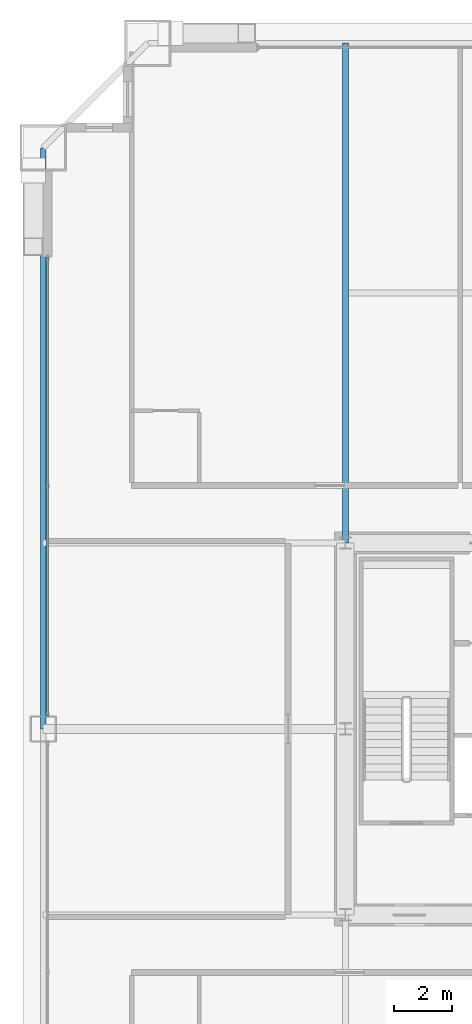
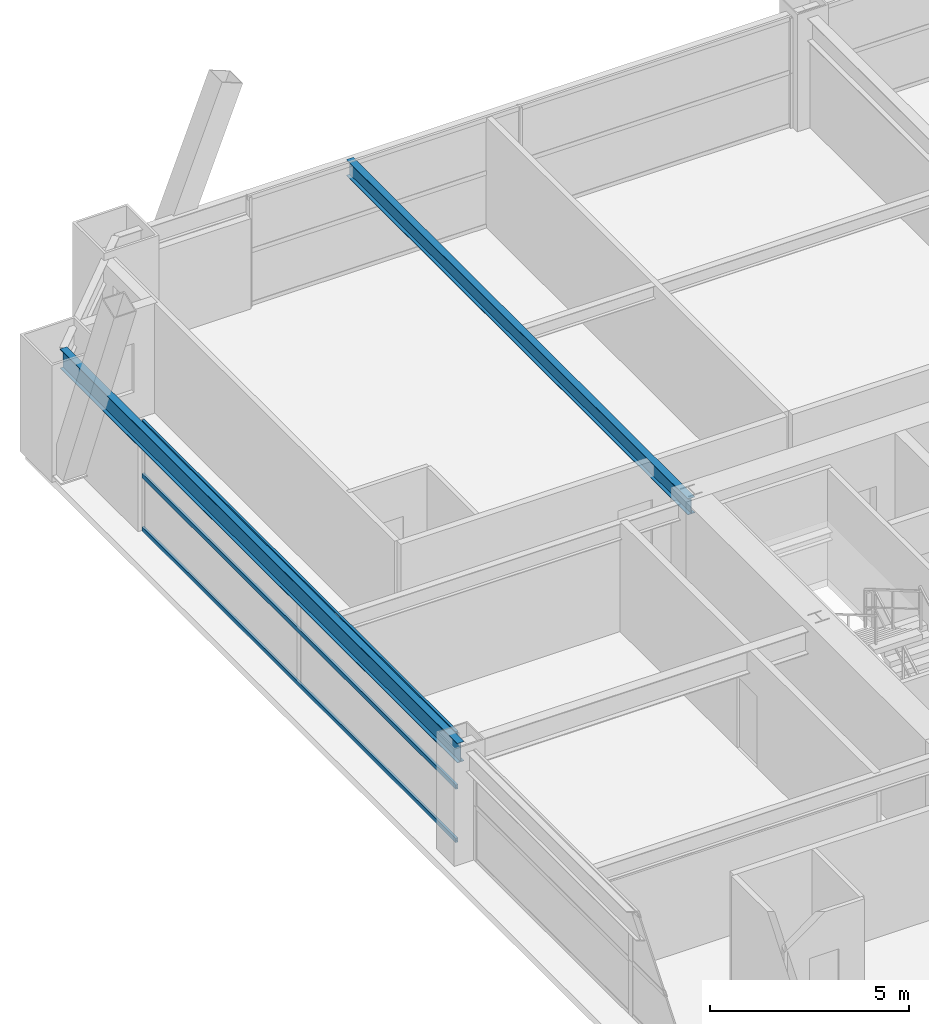
# One storey, part 24 of 43: 3 members, 2 beams, 1 element without a shape of its own.
"""IFC4 building model written with IfcOpenShell, lengths in metres."""

from ifc_helpers import new_model, si_unit, direction, frame, origin, origin_2d, place, context, subcontext, project, spatial, hollow_rectangle, i_section, extrude, source, transform, mapped, material, layer, layer_set, material_profile, profile_set, type_object, element, aggregate, save


model = new_model("IFC4")

# Units and contexts
model_context = context("Model", 3, precision=1e-05, world=origin(), true_north=direction((0.0, 1.0)))
body_context = subcontext(model_context, "Body", "Model", "MODEL_VIEW")
ifc_project = project(units=[si_unit("LENGTHUNIT", "METRE"), si_unit("AREAUNIT", "SQUARE_METRE"), si_unit("VOLUMEUNIT", "CUBIC_METRE"), si_unit("PLANEANGLEUNIT", "RADIAN"), si_unit("MASSUNIT", "GRAM", prefix="KILO"), si_unit("THERMODYNAMICTEMPERATUREUNIT", "KELVIN"), si_unit("POWERUNIT", "WATT")], contexts=[model_context])

# Site, building, storey
site_placement = place(None, origin())
site = spatial("IfcSite", under=ifc_project, at=site_placement, CompositionType="ELEMENT")
building_placement = place(site_placement, origin())
building = spatial("IfcBuilding", under=site, at=building_placement, Name="Yuzanri Waterfront Tower", CompositionType="ELEMENT")
storey_placement = place(building_placement, frame((0.0, 0.0, 101.0)))
storey = spatial("IfcBuildingStorey", under=building, at=storey_placement, Name="L26", CompositionType="ELEMENT", Elevation=101.0)

# Beams
ifc_material_1 = material(Name="Steel Q355B", Category="steel")
ifc_material_profile_1 = material_profile(ifc_material_1, i_section(OverallWidth=0.199951171875, OverallDepth=0.60009765625, WebThickness=0.010986328125, FlangeThickness=0.01708984375, at=origin_2d()), Name="HN 600x200x11x17")
ifc_profile_set_1 = profile_set([ifc_material_profile_1], Name="Steel Q355B")
beam_type_1 = type_object("IfcBeamType", Name="Perimeter Spandrel Q355B HN 600x200", PredefinedType="SPANDREL", material=ifc_profile_set_1)
shared_shape_1 = source(origin(), body_context, "Body", "SweptSolid", [
    extrude(i_section(OverallWidth=0.199951171875, OverallDepth=0.60009765625, WebThickness=0.010986328125, FlangeThickness=0.01708984375, at=origin_2d()), origin(), (0.0, 0.0, 1.0), 20.0),
])
beam_1_placement = place(storey_placement, frame((13.39990234375, 45.800048828125, 3.080078125), z_axis=(0.0, -1.0, 0.0), x_axis=(1.0, 0.0, 0.0)))
element("IfcBeam", 1, at=beam_1_placement, inside=storey, type_object=beam_type_1, Name="L26 Perimeter Spandrel W3-W2", PredefinedType="SPANDREL", context=body_context, shape_type="MappedRepresentation", body=[
    mapped(shared_shape_1, transform((0.0, 0.0, 0.0), scale=1.0)),
])
ifc_material_2 = material(Name="Steel Q355B", Category="steel")
ifc_material_profile_2 = material_profile(ifc_material_2, i_section(OverallWidth=0.199951171875, OverallDepth=0.5, WebThickness=0.010009765625, FlangeThickness=0.01611328125, at=origin_2d()), Name="HN 500x200x10x16")
ifc_profile_set_2 = profile_set([ifc_material_profile_2], Name="Steel Q355B")
beam_type_2 = type_object("IfcBeamType", Name="Secondary Floor Beam Q355B HN 500x200", PredefinedType="BEAM", material=ifc_profile_set_2)
shared_shape_2 = source(origin(), body_context, "Body", "SweptSolid", [
    extrude(i_section(OverallWidth=0.199951171875, OverallDepth=0.5, WebThickness=0.010009765625, FlangeThickness=0.01611328125, at=origin_2d()), origin(), (0.0, 0.0, 1.0), 17.199951171875),
])
beam_2_placement = place(storey_placement, frame((23.800048828125, 32.199951171875, 3.1298828125), z_axis=(0.0, 1.0, 0.0), x_axis=(-1.0, 0.0, 0.0)))
element("IfcBeam", 2, at=beam_2_placement, inside=storey, type_object=beam_type_2, Name="L26 North-West Core Line Beam", PredefinedType="BEAM", context=body_context, shape_type="MappedRepresentation", body=[
    mapped(shared_shape_2, transform((0.0, 0.0, 0.0), scale=1.0)),
])

# Curtain wall, members
ifc_material_3 = material(Name="Anodized Architectural Bronze", Category="metal")
ifc_layer = layer(ifc_material_3, 0.159912109375)
ifc_layer_set = layer_set([ifc_layer], Name="Anodized Architectural Bronze")
curtain_wall_type = type_object("IfcCurtainWallType", Name="Anodized Bronze Hotel Upper-Tier Solar-Control Unitized Curtain Wall 7800", PredefinedType="NOTDEFINED", material=ifc_layer_set)
curtain_wall_placement = place(storey_placement, origin())
curtain_wall = element("IfcCurtainWall", 3, at=curtain_wall_placement, inside=storey, type_object=curtain_wall_type, Name="L26 Curtain Wall CW-L26-WR", PredefinedType="NOTDEFINED")
ifc_material_4 = material(Name="Anodized Architectural Bronze", Category="metal")
ifc_material_profile_3 = material_profile(ifc_material_4, hollow_rectangle(XDim=0.070068359375, YDim=0.135009765625, WallThickness=0.00341796875, at=origin_2d()), Name="CWT 70x135")
ifc_profile_set_3 = profile_set([ifc_material_profile_3], Name="Anodized Architectural Bronze")
member_type = type_object("IfcMemberType", Name="Anodized Bronze Standard Curtain-Wall Transom 70x135", PredefinedType="USERDEFINED", material=ifc_profile_set_3)
shared_shape_3 = source(origin(), body_context, "Body", "SweptSolid", [
    extrude(hollow_rectangle(XDim=0.070068359375, YDim=0.135009765625, WallThickness=0.00341796875, at=origin_2d()), origin(), (0.0, 0.0, 1.0), 15.800048828125),
])
member_1_placement = place(storey_placement, frame((13.550048828125, 26.25, 0.050048828125), z_axis=(0.0, 1.0, 0.0), x_axis=(-1.0, 0.0, 0.0)))
member_1 = element("IfcMember", 4, at=member_1_placement, type_object=member_type, Name="CW-L26-WR Transom 1", ObjectType="TRANSOM", PredefinedType="USERDEFINED", context=body_context, shape_type="MappedRepresentation", body=[
    mapped(shared_shape_3, transform((0.0, 0.0, 0.0), scale=1.0)),
])
member_2_placement = place(storey_placement, frame((13.550048828125, 26.25, 1.68994140625), z_axis=(0.0, 1.0, 0.0), x_axis=(-1.0, 0.0, 0.0)))
member_2 = element("IfcMember", 5, at=member_2_placement, type_object=member_type, Name="CW-L26-WR Transom 2", ObjectType="TRANSOM", PredefinedType="USERDEFINED", context=body_context, shape_type="MappedRepresentation", body=[
    mapped(shared_shape_3, transform((0.0, 0.0, 0.0), scale=1.0)),
])
member_3_placement = place(storey_placement, frame((13.550048828125, 26.25, 3.330078125), z_axis=(0.0, 1.0, 0.0), x_axis=(-1.0, 0.0, 0.0)))
member_3 = element("IfcMember", 6, at=member_3_placement, type_object=member_type, Name="CW-L26-WR Transom 3", ObjectType="TRANSOM", PredefinedType="USERDEFINED", context=body_context, shape_type="MappedRepresentation", body=[
    mapped(shared_shape_3, transform((0.0, 0.0, 0.0), scale=1.0)),
])
aggregate(curtain_wall, [member_1, member_2, member_3])

save(model, "model.ifc")
